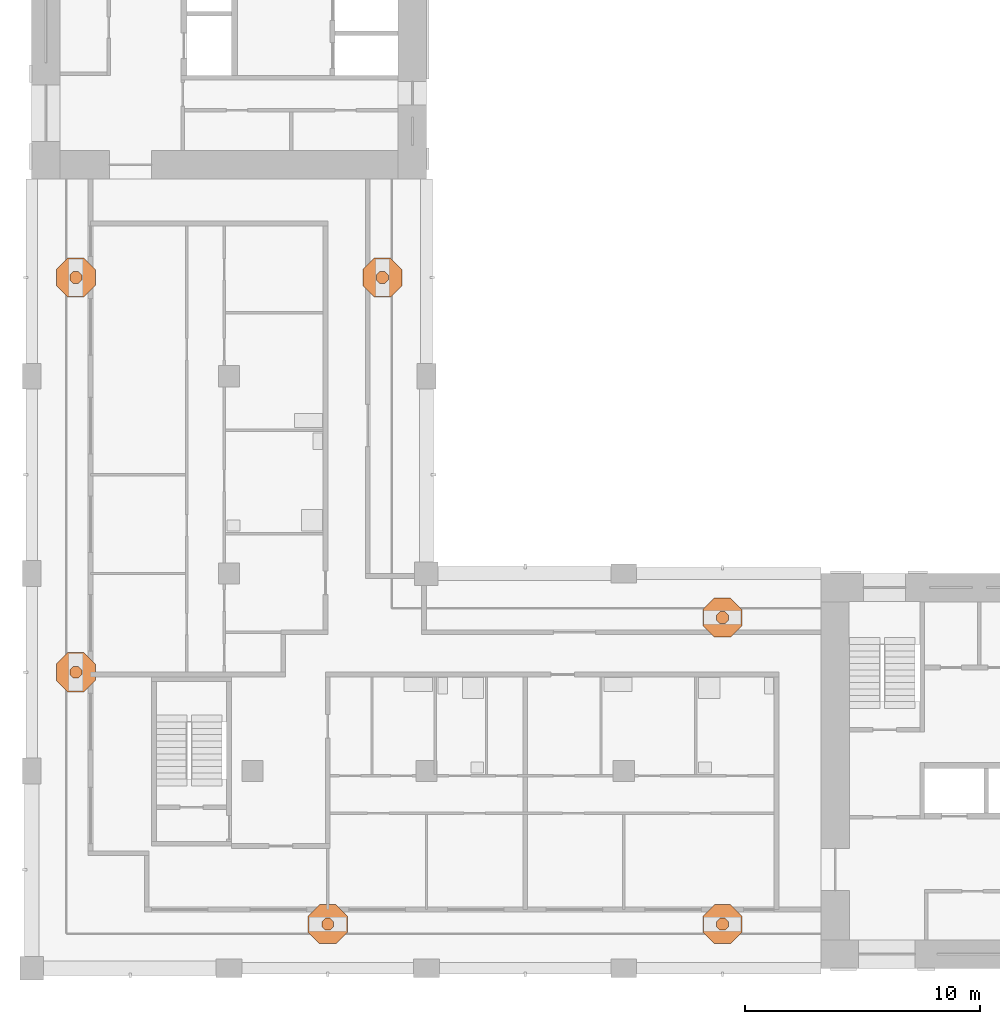
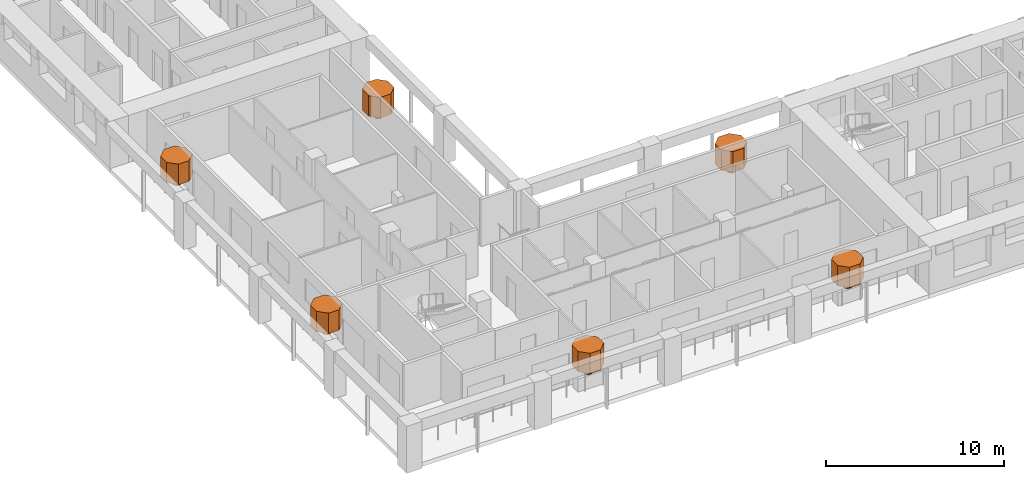
# One storey, part 11 of 11: 12 geographic elements.
"""IFC4 building model written with IfcOpenShell, lengths in metres."""

import ifcopenshell
import ifcopenshell.guid

model = None  # the IFC model being written
_history = None  # IfcOwnerHistory: only IFC2X3 demands one
_inside = {}  # id of a spatial element -> (the spatial element, [elements in it])
_under = {}  # id of a project, library or spatial element -> (it, [spatial elements below it])
_declared = {}  # id of a project -> (the project, [libraries it declares])
_typed = {}  # id of a type object -> (the type object, [elements of that type])
_made_of = {}  # id of a material, layer set ... -> (it, [elements and type objects made of it])


def new_model(schema):
    """Start an empty IFC model of exactly this schema.

    Asked for "IFC4X3", IfcOpenShell would pick the latest addendum, in which some entities
    have other attributes; the version numbers below select the first issue.
    IFC2X3 requires an IfcOwnerHistory on every rooted entity: one is made here for all.
    """
    global model, _history
    if schema == "IFC4X3":
        model = ifcopenshell.file(schema_version=(4, 3, 0, 0))
    else:
        model = ifcopenshell.file(schema=schema)
    _inside.clear()
    _under.clear()
    _declared.clear()
    _typed.clear()
    _made_of.clear()
    _history = None
    if model.schema == "IFC2X3":
        org = make("IfcOrganization", Name="unknown")
        user = make(
            "IfcPersonAndOrganization",
            ThePerson=make("IfcPerson", FamilyName="unknown"),
            TheOrganization=org,
        )
        app = make(
            "IfcApplication",
            ApplicationDeveloper=org,
            Version="unknown",
            ApplicationFullName="unknown",
            ApplicationIdentifier="unknown",
        )
        _history = make(
            "IfcOwnerHistory",
            OwningUser=user,
            OwningApplication=app,
            ChangeAction="ADDED",
            CreationDate=0,
        )
    return model


def make(cls, **values):
    """One entity of the class cls with the attributes given. An attribute that is None is left unset."""
    return model.create_entity(
        cls, **{name: value for name, value in values.items() if value is not None}
    )


def rooted(cls, **values):
    """An entity with a GlobalId (a new one), such as an element, a storey or a relation."""
    return make(cls, GlobalId=ifcopenshell.guid.new(), OwnerHistory=_history, **values)


def si_unit(unit_type, name, prefix=None):
    """IfcSIUnit, for example si_unit("LENGTHUNIT", "METRE", prefix="MILLI")."""
    return make("IfcSIUnit", UnitType=unit_type, Prefix=prefix, Name=name)


def assignment(units):
    """IfcUnitAssignment: the units of a project."""
    return None if units is None else make("IfcUnitAssignment", Units=units)


def point(xyz):
    """IfcCartesianPoint."""
    return None if xyz is None else make("IfcCartesianPoint", Coordinates=xyz)


def direction(xyz):
    """IfcDirection."""
    return None if xyz is None else make("IfcDirection", DirectionRatios=xyz)


def frame(location, z_axis=None, x_axis=None):
    """IfcAxis2Placement3D, a coordinate frame: its origin and axes. An axis left out is left unset."""
    return make(
        "IfcAxis2Placement3D",
        Location=point(location),
        Axis=direction(z_axis),
        RefDirection=direction(x_axis),
    )


def origin():
    """The frame at (0, 0, 0) with its axes left unset."""
    return frame((0.0, 0.0, 0.0))


def place(relative_to, where):
    """IfcLocalPlacement: puts the frame where relative to a parent placement (None: the world)."""
    return make(
        "IfcLocalPlacement", PlacementRelTo=relative_to, RelativePlacement=where
    )


def context(
    kind, dimensions, precision=None, world=None, true_north=None, identifier=None
):
    """IfcGeometricRepresentationContext, for example the 3D "Model" context."""
    return make(
        "IfcGeometricRepresentationContext",
        ContextIdentifier=identifier,
        ContextType=kind,
        CoordinateSpaceDimension=dimensions,
        Precision=precision,
        WorldCoordinateSystem=world,
        TrueNorth=true_north,
    )


def subcontext(parent, identifier, kind, view, scale=None):
    """IfcGeometricRepresentationSubContext, for example "Body" below "Model"."""
    return make(
        "IfcGeometricRepresentationSubContext",
        ContextIdentifier=identifier,
        ContextType=kind,
        ParentContext=parent,
        TargetScale=scale,
        TargetView=view,
    )


def project(units=None, contexts=None):
    """IfcProject with its units and contexts."""
    return rooted(
        "IfcProject",
        Name="project",
        RepresentationContexts=contexts,
        UnitsInContext=assignment(units),
    )


def spatial(cls, under=None, at=None, **own):
    """A site, building, storey or space (cls), placed at a placement, below another one or the project."""
    s = rooted(cls, ObjectPlacement=at, **own)
    if under is not None:
        _under.setdefault(under.id(), (under, []))[1].append(s)
    return s


def polyline(points):
    """IfcPolyline through the points."""
    return make("IfcPolyline", Points=[point(p) for p in points])


def outline(outer, holes=None, kind="AREA"):
    """IfcArbitraryClosedProfileDef: a profile drawn as a closed curve; with holes, ...WithVoids."""
    if holes is None:
        return make("IfcArbitraryClosedProfileDef", ProfileType=kind, OuterCurve=outer)
    return make(
        "IfcArbitraryProfileDefWithVoids",
        ProfileType=kind,
        OuterCurve=outer,
        InnerCurves=holes,
    )


def extrude(swept, where, along, depth):
    """IfcExtrudedAreaSolid: the profile swept, set in the frame where, extruded along a direction by depth."""
    return make(
        "IfcExtrudedAreaSolid",
        SweptArea=swept,
        Position=where,
        ExtrudedDirection=direction(along),
        Depth=depth,
    )


def shape(context_of_items, identifier, shape_type, items):
    """IfcShapeRepresentation: the items that make up one representation, for example the "Body"."""
    return make(
        "IfcShapeRepresentation",
        ContextOfItems=context_of_items,
        RepresentationIdentifier=identifier,
        RepresentationType=shape_type,
        Items=items,
    )


def material(Name=None, Category=None):
    """IfcMaterial."""
    return make("IfcMaterial", Name=Name, Category=Category)


def made_of(thing, what):
    """Note that an element or type object is made of a material, layer set ...; save() writes the relation."""
    if what is not None:
        _made_of.setdefault(what.id(), (what, []))[1].append(thing)
    return thing


def element(
    cls,
    number,
    at=None,
    inside=None,
    cuts=None,
    type_object=None,
    material=None,
    context=None,
    identifier="Body",
    shape_type=None,
    held_by="IfcProductDefinitionShape",
    body=None,
    shapes=None,
    **own,
):
    """One element of the class cls, such as IfcWall. Its Tag is "e" and its number.

    at: its placement. inside: the storey or other place that contains it. cuts: it is an
    opening in that element (IfcRelVoidsElement). A single representation is given by context,
    identifier, shape_type and body (its items); several are given by shapes. held_by: the class
    of the entity that holds the representations. save() writes the other relations.
    """
    e = rooted(cls, Tag="e%d" % number, ObjectPlacement=at, **own)
    if body is not None:
        shapes = [shape(context, identifier, shape_type, body)]
    if shapes is not None:
        e.Representation = make(held_by, Representations=shapes)
    if inside is not None:
        _inside.setdefault(inside.id(), (inside, []))[1].append(e)
    if cuts is not None:
        rooted(
            "IfcRelVoidsElement", RelatingBuildingElement=cuts, RelatedOpeningElement=e
        )
    if type_object is not None:
        _typed.setdefault(type_object.id(), (type_object, []))[1].append(e)
    return made_of(e, material)


def aggregate(whole, parts):
    """IfcRelAggregates: a whole, such as a stair, and the parts it consists of."""
    return rooted("IfcRelAggregates", RelatingObject=whole, RelatedObjects=parts)


def save(model, path):
    """Write the relations noted so far, then the file.

    IfcRelAggregates (storeys below a building ...), IfcRelContainedInSpatialStructure (elements
    in a storey), IfcRelDefinesByType, IfcRelAssociatesMaterial and IfcRelDeclares: one each for
    every whole, place, type object, material and project.
    """
    for whole, parts in _under.values():
        aggregate(whole, parts)
    for where, things in _inside.values():
        rooted(
            "IfcRelContainedInSpatialStructure",
            RelatedElements=things,
            RelatingStructure=where,
        )
    for kind, things in _typed.values():
        rooted("IfcRelDefinesByType", RelatedObjects=things, RelatingType=kind)
    for what, things in _made_of.values():
        rooted("IfcRelAssociatesMaterial", RelatedObjects=things, RelatingMaterial=what)
    for by, libraries in _declared.values():
        rooted("IfcRelDeclares", RelatingContext=by, RelatedDefinitions=libraries)
    model.write(path)


model = new_model("IFC4")

# Units and contexts
model_context = context("Model", 3, precision=1e-05, world=origin(), true_north=direction((0.0, 1.0)))
body_context = subcontext(model_context, "Body", "Model", "MODEL_VIEW")
ifc_project = project(units=[si_unit("LENGTHUNIT", "METRE"), si_unit("AREAUNIT", "SQUARE_METRE"), si_unit("VOLUMEUNIT", "CUBIC_METRE"), si_unit("PLANEANGLEUNIT", "RADIAN"), si_unit("MASSUNIT", "GRAM", prefix="KILO")], contexts=[model_context])

# Site, building, storey
site_placement = place(None, origin())
site = spatial("IfcSite", under=ifc_project, at=site_placement, CompositionType="ELEMENT")
building_placement = place(site_placement, origin())
building = spatial("IfcBuilding", under=site, at=building_placement, Name="Vermilion Gate Residences", CompositionType="ELEMENT")
storey_placement = place(building_placement, frame((0.0, 0.0, 259.699951171875)))
storey = spatial("IfcBuildingStorey", under=building, at=storey_placement, Name="L68", CompositionType="ELEMENT", Elevation=259.699951171875)

# Geographic elements
ifc_material = material(Name="Foliage")
geographic_element_1_placement = place(storey_placement, frame((0.0, 0.0, 0.900146484375)))
element("IfcGeographicElement", 1, at=geographic_element_1_placement, inside=storey, material=ifc_material, Name="Tree (black pine)", ObjectType="TREE", PredefinedType="USERDEFINED", context=body_context, shape_type="SweptSolid", body=[
    extrude(outline(polyline([(21.254150390625, 10.380126953125), (21.105224609375, 10.529052734375), (20.894775390625, 10.529052734375), (20.745849609375, 10.380126953125), (20.745849609375, 10.169921875), (20.894775390625, 10.02099609375), (21.105224609375, 10.02099609375), (21.254150390625, 10.169921875), (21.254150390625, 10.380126953125)])), origin(), (0.0, 0.0, 1.0), 0.52001953125),
])
geographic_element_2_placement = place(storey_placement, frame((0.0, 0.0, 1.420166015625)))
element("IfcGeographicElement", 2, at=geographic_element_2_placement, inside=storey, material=ifc_material, Name="Tree crown (black pine)", ObjectType="TREE", PredefinedType="USERDEFINED", context=body_context, shape_type="SweptSolid", body=[
    extrude(outline(polyline([(21.83154296875, 10.619384765625), (21.344482421875, 11.1064453125), (20.655517578125, 11.1064453125), (20.16845703125, 10.619384765625), (20.16845703125, 9.9306640625), (20.655517578125, 9.443603515625), (21.344482421875, 9.443603515625), (21.83154296875, 9.9306640625), (21.83154296875, 10.619384765625)])), origin(), (0.0, 0.0, 1.0), 1.39990234375),
])
geographic_element_3_placement = place(storey_placement, frame((0.0, 0.0, 0.900146484375)))
element("IfcGeographicElement", 3, at=geographic_element_3_placement, inside=storey, material=ifc_material, Name="Tree (maple)", ObjectType="TREE", PredefinedType="USERDEFINED", context=body_context, shape_type="SweptSolid", body=[
    extrude(outline(polyline([(38.05419921875, 10.380126953125), (37.9052734375, 10.529052734375), (37.69482421875, 10.529052734375), (37.5458984375, 10.380126953125), (37.5458984375, 10.169921875), (37.69482421875, 10.02099609375), (37.9052734375, 10.02099609375), (38.05419921875, 10.169921875), (38.05419921875, 10.380126953125)])), origin(), (0.0, 0.0, 1.0), 0.52001953125),
])
geographic_element_4_placement = place(storey_placement, frame((0.0, 0.0, 1.420166015625)))
element("IfcGeographicElement", 4, at=geographic_element_4_placement, inside=storey, material=ifc_material, Name="Tree crown (maple)", ObjectType="TREE", PredefinedType="USERDEFINED", context=body_context, shape_type="SweptSolid", body=[
    extrude(outline(polyline([(38.631591796875, 10.619384765625), (38.144287109375, 11.1064453125), (37.45556640625, 11.1064453125), (36.968505859375, 10.619384765625), (36.968505859375, 9.9306640625), (37.45556640625, 9.443603515625), (38.144287109375, 9.443603515625), (38.631591796875, 9.9306640625), (38.631591796875, 10.619384765625)])), origin(), (0.0, 0.0, 1.0), 1.39990234375),
])
geographic_element_5_placement = place(storey_placement, frame((0.0, 0.0, 0.900146484375)))
element("IfcGeographicElement", 5, at=geographic_element_5_placement, inside=storey, material=ifc_material, Name="Tree (maple)", ObjectType="TREE", PredefinedType="USERDEFINED", context=body_context, shape_type="SweptSolid", body=[
    extrude(outline(polyline([(38.05419921875, 23.43017578125), (37.9052734375, 23.5791015625), (37.69482421875, 23.5791015625), (37.5458984375, 23.43017578125), (37.5458984375, 23.2197265625), (37.69482421875, 23.07080078125), (37.9052734375, 23.07080078125), (38.05419921875, 23.2197265625), (38.05419921875, 23.43017578125)])), origin(), (0.0, 0.0, 1.0), 0.52001953125),
])
geographic_element_6_placement = place(storey_placement, frame((0.0, 0.0, 1.420166015625)))
element("IfcGeographicElement", 6, at=geographic_element_6_placement, inside=storey, material=ifc_material, Name="Tree crown (maple)", ObjectType="TREE", PredefinedType="USERDEFINED", context=body_context, shape_type="SweptSolid", body=[
    extrude(outline(polyline([(38.631591796875, 23.66943359375), (38.144287109375, 24.156494140625), (37.45556640625, 24.156494140625), (36.968505859375, 23.66943359375), (36.968505859375, 22.980712890625), (37.45556640625, 22.493408203125), (38.144287109375, 22.493408203125), (38.631591796875, 22.980712890625), (38.631591796875, 23.66943359375)])), origin(), (0.0, 0.0, 1.0), 1.39990234375),
])
geographic_element_7_placement = place(storey_placement, frame((0.0, 0.0, 0.900146484375)))
element("IfcGeographicElement", 7, at=geographic_element_7_placement, inside=storey, material=ifc_material, Name="Tree (maple)", ObjectType="TREE", PredefinedType="USERDEFINED", context=body_context, shape_type="SweptSolid", body=[
    extrude(outline(polyline([(23.5791015625, 37.9052734375), (23.43017578125, 38.05419921875), (23.2197265625, 38.05419921875), (23.07080078125, 37.9052734375), (23.07080078125, 37.69482421875), (23.2197265625, 37.5458984375), (23.43017578125, 37.5458984375), (23.5791015625, 37.69482421875), (23.5791015625, 37.9052734375)])), origin(), (0.0, 0.0, 1.0), 0.52001953125),
])
geographic_element_8_placement = place(storey_placement, frame((0.0, 0.0, 1.420166015625)))
element("IfcGeographicElement", 8, at=geographic_element_8_placement, inside=storey, material=ifc_material, Name="Tree crown (maple)", ObjectType="TREE", PredefinedType="USERDEFINED", context=body_context, shape_type="SweptSolid", body=[
    extrude(outline(polyline([(24.156494140625, 38.144287109375), (23.66943359375, 38.631591796875), (22.980712890625, 38.631591796875), (22.493408203125, 38.144287109375), (22.493408203125, 37.45556640625), (22.980712890625, 36.968505859375), (23.66943359375, 36.968505859375), (24.156494140625, 37.45556640625), (24.156494140625, 38.144287109375)])), origin(), (0.0, 0.0, 1.0), 1.39990234375),
])
geographic_element_9_placement = place(storey_placement, frame((0.0, 0.0, 0.900146484375)))
element("IfcGeographicElement", 9, at=geographic_element_9_placement, inside=storey, material=ifc_material, Name="Tree (black pine)", ObjectType="TREE", PredefinedType="USERDEFINED", context=body_context, shape_type="SweptSolid", body=[
    extrude(outline(polyline([(10.529052734375, 21.105224609375), (10.380126953125, 21.254150390625), (10.169921875, 21.254150390625), (10.02099609375, 21.105224609375), (10.02099609375, 20.894775390625), (10.169921875, 20.745849609375), (10.380126953125, 20.745849609375), (10.529052734375, 20.894775390625), (10.529052734375, 21.105224609375)])), origin(), (0.0, 0.0, 1.0), 0.52001953125),
])
geographic_element_10_placement = place(storey_placement, frame((0.0, 0.0, 1.420166015625)))
element("IfcGeographicElement", 10, at=geographic_element_10_placement, inside=storey, material=ifc_material, Name="Tree crown (black pine)", ObjectType="TREE", PredefinedType="USERDEFINED", context=body_context, shape_type="SweptSolid", body=[
    extrude(outline(polyline([(11.1064453125, 21.344482421875), (10.619384765625, 21.83154296875), (9.9306640625, 21.83154296875), (9.443603515625, 21.344482421875), (9.443603515625, 20.655517578125), (9.9306640625, 20.16845703125), (10.619384765625, 20.16845703125), (11.1064453125, 20.655517578125), (11.1064453125, 21.344482421875)])), origin(), (0.0, 0.0, 1.0), 1.39990234375),
])
geographic_element_11_placement = place(storey_placement, frame((0.0, 0.0, 0.900146484375)))
element("IfcGeographicElement", 11, at=geographic_element_11_placement, inside=storey, material=ifc_material, Name="Tree (maple)", ObjectType="TREE", PredefinedType="USERDEFINED", context=body_context, shape_type="SweptSolid", body=[
    extrude(outline(polyline([(10.529052734375, 37.9052734375), (10.380126953125, 38.05419921875), (10.169921875, 38.05419921875), (10.02099609375, 37.9052734375), (10.02099609375, 37.69482421875), (10.169921875, 37.5458984375), (10.380126953125, 37.5458984375), (10.529052734375, 37.69482421875), (10.529052734375, 37.9052734375)])), origin(), (0.0, 0.0, 1.0), 0.52001953125),
])
geographic_element_12_placement = place(storey_placement, frame((0.0, 0.0, 1.420166015625)))
element("IfcGeographicElement", 12, at=geographic_element_12_placement, inside=storey, material=ifc_material, Name="Tree crown (maple)", ObjectType="TREE", PredefinedType="USERDEFINED", context=body_context, shape_type="SweptSolid", body=[
    extrude(outline(polyline([(11.1064453125, 38.144287109375), (10.619384765625, 38.631591796875), (9.9306640625, 38.631591796875), (9.443603515625, 38.144287109375), (9.443603515625, 37.45556640625), (9.9306640625, 36.968505859375), (10.619384765625, 36.968505859375), (11.1064453125, 37.45556640625), (11.1064453125, 38.144287109375)])), origin(), (0.0, 0.0, 1.0), 1.39990234375),
])

save(model, "model.ifc")
